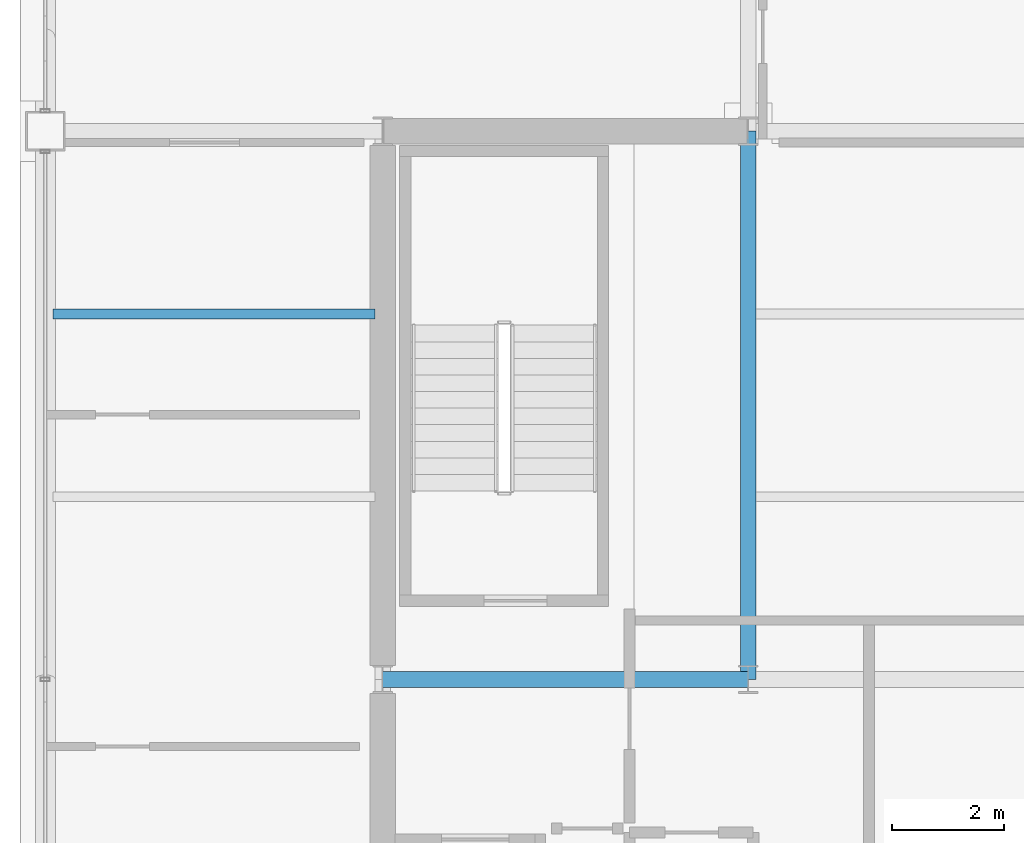
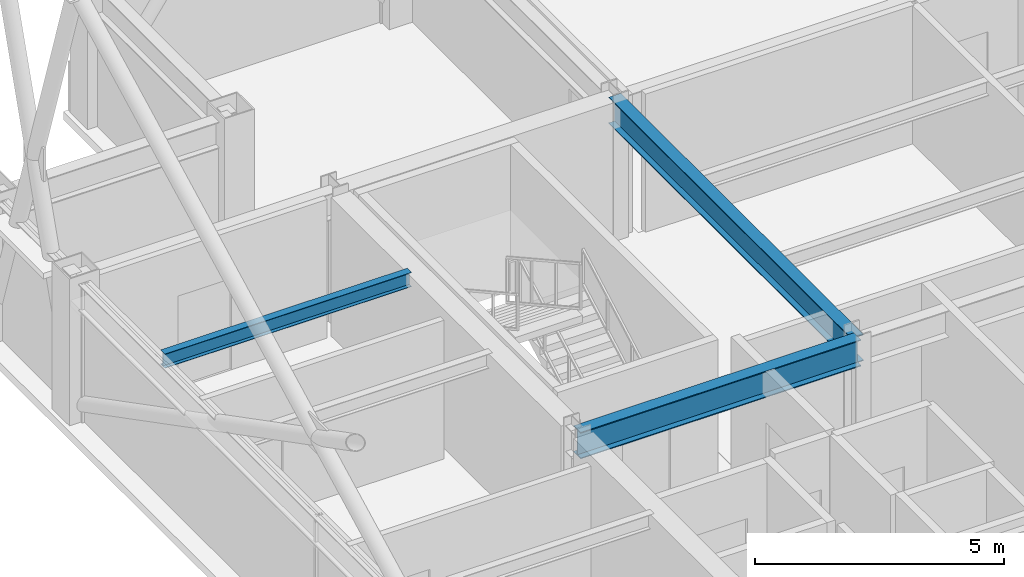
# One storey, part 11 of 33: 3 beams.
"""IFC4 building model written with IfcOpenShell, lengths in metres."""

from ifc_helpers import new_model, si_unit, direction, frame, origin, origin_2d, place, context, subcontext, project, spatial, i_section, extrude, material, material_profile, profile_set, type_object, element, save


model = new_model("IFC4")

# Units and contexts
model_context = context("Model", 3, precision=1e-05, world=origin(), true_north=direction((0.0, 1.0)))
body_context = subcontext(model_context, "Body", "Model", "MODEL_VIEW")
ifc_project = project(units=[si_unit("LENGTHUNIT", "METRE"), si_unit("AREAUNIT", "SQUARE_METRE"), si_unit("VOLUMEUNIT", "CUBIC_METRE"), si_unit("PLANEANGLEUNIT", "RADIAN"), si_unit("MASSUNIT", "GRAM", prefix="KILO")], contexts=[model_context])

# Site, building, storey
site_placement = place(None, origin())
site = spatial("IfcSite", under=ifc_project, at=site_placement, CompositionType="ELEMENT")
building_placement = place(site_placement, origin())
building = spatial("IfcBuilding", under=site, at=building_placement, Name="Brelmoor Portico Tower", CompositionType="ELEMENT")
storey_placement = place(building_placement, frame((0.0, 0.0, 194.699951171875)))
storey = spatial("IfcBuildingStorey", under=building, at=storey_placement, Name="L51", CompositionType="ELEMENT", Elevation=194.699951171875)

# Beams
ifc_material = material(Name="Steel Q355B", Category="steel")
ifc_material_profile_1 = material_profile(ifc_material, i_section(OverallWidth=0.175048828125, OverallDepth=0.35009765625, WebThickness=0.007080078125, FlangeThickness=0.010986328125, at=origin_2d()), Name="HN 350x175x7x11")
ifc_profile_set_1 = profile_set([ifc_material_profile_1], Name="Steel Q355B")
beam_type_1 = type_object("IfcBeamType", Name="BM-JS-350", PredefinedType="JOIST", material=ifc_profile_set_1)
beam_1_placement = place(storey_placement, frame((-20.409912109375, 6.5, 3.22509765625), z_axis=(1.0, 0.0, 0.0), x_axis=(0.0, 1.0, 0.0)))
element("IfcBeam", 1, at=beam_1_placement, inside=storey, type_object=beam_type_1, Name="L51 Secondary Wing Joist JS-W08", PredefinedType="JOIST", context=body_context, shape_type="SweptSolid", body=[
    extrude(i_section(OverallWidth=0.175048828125, OverallDepth=0.35009765625, WebThickness=0.007080078125, FlangeThickness=0.010986328125, at=origin_2d()), origin(), (0.0, 0.0, 1.0), 5.719970703125),
])
ifc_material_profile_2 = material_profile(ifc_material, i_section(OverallWidth=0.280029296875, OverallDepth=0.64990234375, WebThickness=0.012939453125, FlangeThickness=0.02197265625, at=origin_2d()), Name="HN 650x280x13x22")
ifc_profile_set_2 = profile_set([ifc_material_profile_2], Name="Steel Q355B")
beam_type_2 = type_object("IfcBeamType", Name="BM-PG-650", PredefinedType="BEAM", material=ifc_profile_set_2)
beam_2_placement = place(storey_placement, frame((-8.050048828125, 0.0, 3.074951171875), z_axis=(0.0, 1.0, 0.0), x_axis=(-1.0, 0.0, 0.0)))
element("IfcBeam", 2, at=beam_2_placement, inside=storey, type_object=beam_type_2, Name="L51 Primary Floor Girder PG-04", PredefinedType="BEAM", context=body_context, shape_type="SweptSolid", body=[
    extrude(i_section(OverallWidth=0.280029296875, OverallDepth=0.64990234375, WebThickness=0.012939453125, FlangeThickness=0.02197265625, at=origin_2d()), origin(), (0.0, 0.0, 1.0), 9.75),
])
beam_3_placement = place(storey_placement, frame((-14.550048828125, 0.0, 3.074951171875), z_axis=(1.0, 0.0, 0.0), x_axis=(0.0, 1.0, 0.0)))
element("IfcBeam", 3, at=beam_3_placement, inside=storey, type_object=beam_type_2, Name="L51 Primary Floor Girder PG-16", PredefinedType="BEAM", context=body_context, shape_type="SweptSolid", body=[
    extrude(i_section(OverallWidth=0.280029296875, OverallDepth=0.64990234375, WebThickness=0.012939453125, FlangeThickness=0.02197265625, at=origin_2d()), origin(), (0.0, 0.0, 1.0), 6.5),
])

save(model, "model.ifc")
